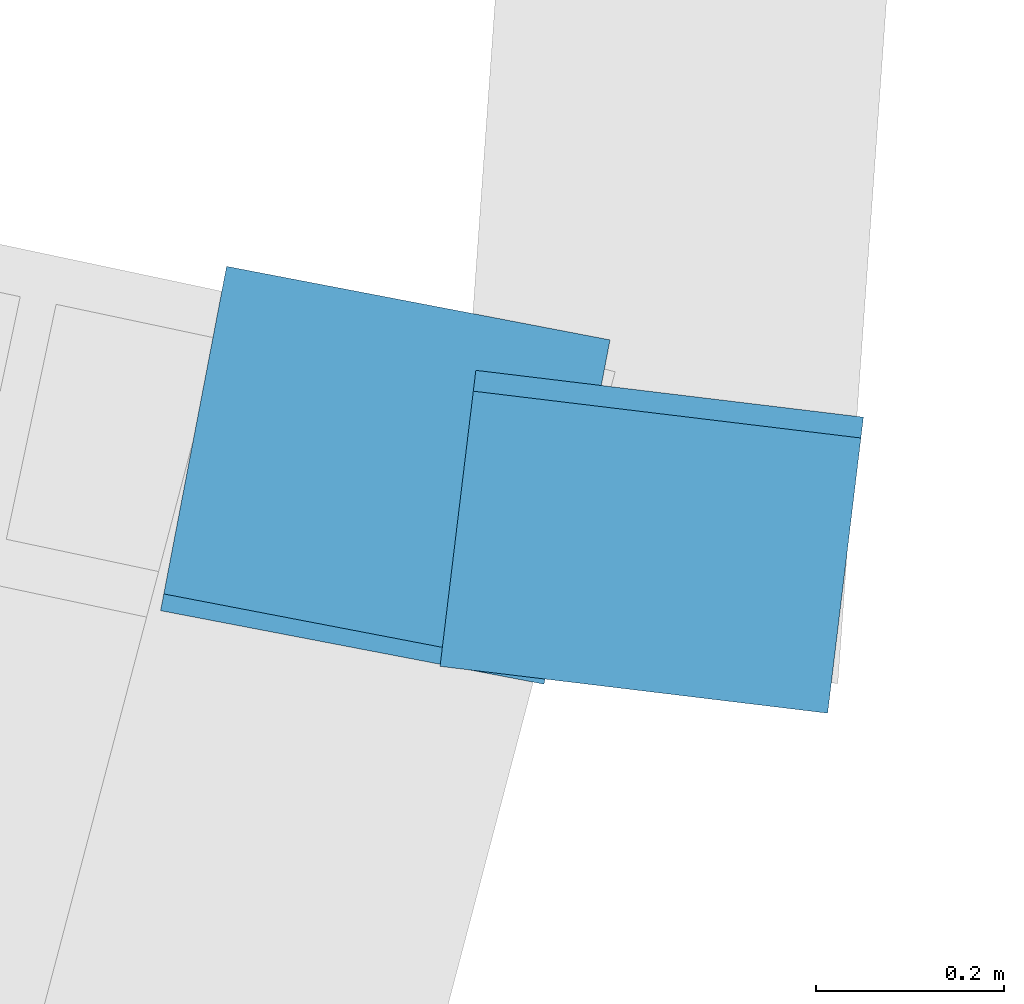
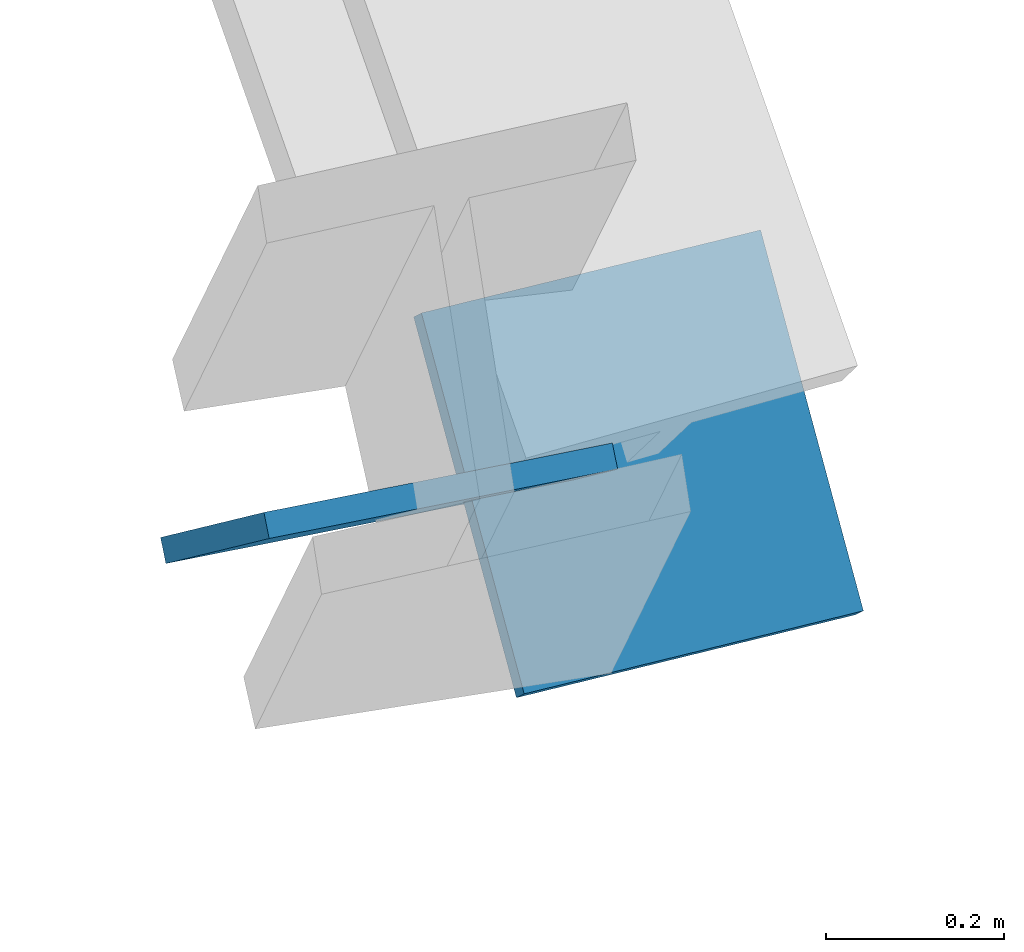
# One storey, part 17 of 21: 2 discrete accessories.
"""IFC4 building model written with IfcOpenShell, lengths in metres."""

from ifc_helpers import new_model, si_unit, direction, frame, origin, origin_2d, place, context, subcontext, project, spatial, rectangle, extrude, material, material_profile, profile_set, type_object, element, save


model = new_model("IFC4")

# Units and contexts
model_context = context("Model", 3, precision=1e-05, world=origin(), true_north=direction((0.0, 1.0)))
body_context = subcontext(model_context, "Body", "Model", "MODEL_VIEW")
ifc_project = project(units=[si_unit("LENGTHUNIT", "METRE"), si_unit("AREAUNIT", "SQUARE_METRE"), si_unit("VOLUMEUNIT", "CUBIC_METRE"), si_unit("PLANEANGLEUNIT", "RADIAN"), si_unit("MASSUNIT", "GRAM", prefix="KILO")], contexts=[model_context])

# Site, building, storey
site_placement = place(None, origin())
site = spatial("IfcSite", under=ifc_project, at=site_placement, CompositionType="ELEMENT")
building_placement = place(site_placement, origin())
building = spatial("IfcBuilding", under=site, at=building_placement, Name="Alderwake Tower", CompositionType="ELEMENT")
storey_placement = place(building_placement, frame((0.0, 0.0, 267.199951171875)))
storey = spatial("IfcBuildingStorey", under=building, at=storey_placement, Name="L66", CompositionType="ELEMENT", Elevation=267.199951171875)

# Discrete accessories
ifc_material = material(Name="Steel ASTM A572 Grade 50", Category="steel")
ifc_material_profile = material_profile(ifc_material, rectangle(XDim=0.41552734375, YDim=0.445556640625, at=origin_2d()), Name="W14X342 cap")
ifc_profile_set = profile_set([ifc_material_profile], Name="Steel ASTM A572 Grade 50")
discrete_accessory_type = type_object("IfcDiscreteAccessoryType", Name="End cap plate W14X342", PredefinedType="USERDEFINED", material=ifc_profile_set)
discrete_accessory_1_placement = place(storey_placement, frame((57.598388671875, 36.67138671875, 0.0), z_axis=(0.113821138211, 0.593495934959, 0.79674796748), x_axis=(-0.982102279235, 0.188348382319, 0.0)))
element("IfcDiscreteAccessory", 1, at=discrete_accessory_1_placement, inside=storey, type_object=discrete_accessory_type, Name="End cap BRF5.1.2A N", ObjectType="END CAP", PredefinedType="USERDEFINED", context=body_context, shape_type="SweptSolid", body=[
    extrude(rectangle(XDim=0.41552734375, YDim=0.445556640625, at=origin_2d()), origin(), (0.0, 0.0, 1.0), 0.030029296875),
])
discrete_accessory_2_placement = place(storey_placement, frame((57.885009765625, 36.62060546875, 0.0), z_axis=(-0.089925600621, -0.743929968771, 0.662179422753), x_axis=(0.99277322032, -0.120005554105, 0.0)))
element("IfcDiscreteAccessory", 2, at=discrete_accessory_2_placement, inside=storey, type_object=discrete_accessory_type, Name="End cap BRF5.1.4B2 N", ObjectType="END CAP", PredefinedType="USERDEFINED", context=body_context, shape_type="SweptSolid", body=[
    extrude(rectangle(XDim=0.41552734375, YDim=0.445556640625, at=origin_2d()), origin(), (0.0, 0.0, 1.0), 0.02978515625),
])

save(model, "model.ifc")
